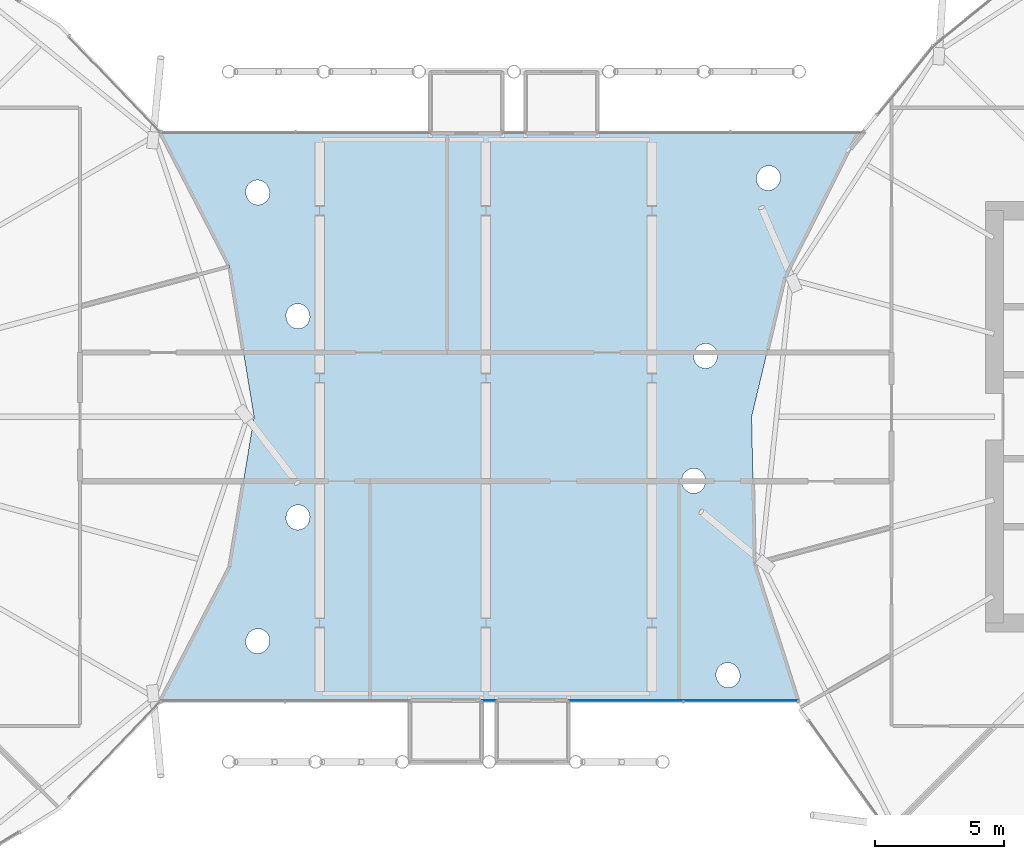
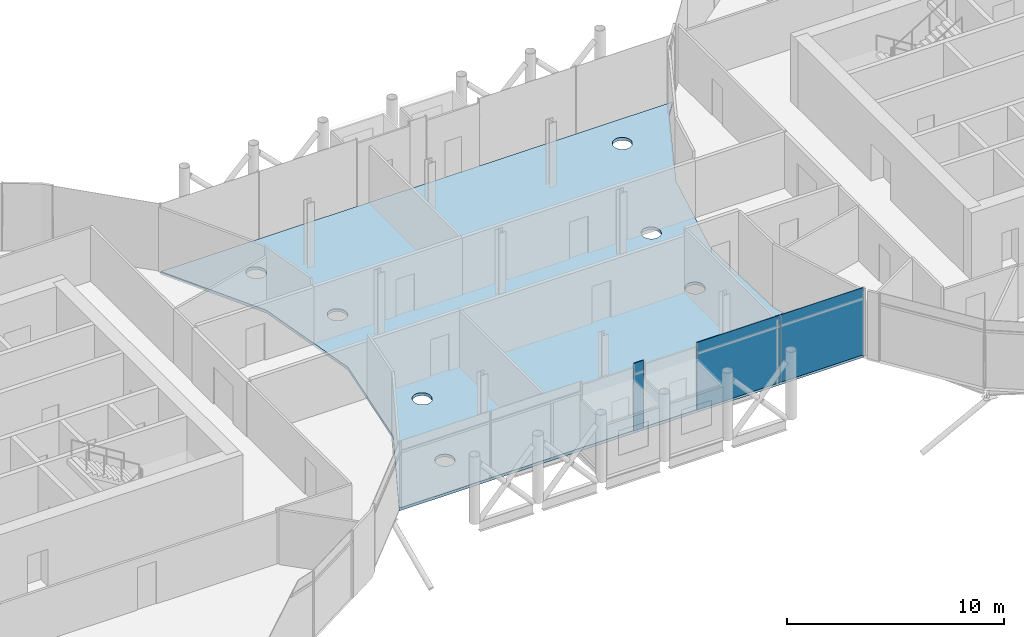
# One storey, part 20 of 39: 3 plates, 1 slab, 1 element without a shape of its own.
"""IFC4 building model written with IfcOpenShell, lengths in metres."""

import ifcopenshell
import ifcopenshell.guid

model = None  # the IFC model being written
_history = None  # IfcOwnerHistory: only IFC2X3 demands one
_inside = {}  # id of a spatial element -> (the spatial element, [elements in it])
_under = {}  # id of a project, library or spatial element -> (it, [spatial elements below it])
_declared = {}  # id of a project -> (the project, [libraries it declares])
_typed = {}  # id of a type object -> (the type object, [elements of that type])
_made_of = {}  # id of a material, layer set ... -> (it, [elements and type objects made of it])


def new_model(schema):
    """Start an empty IFC model of exactly this schema.

    Asked for "IFC4X3", IfcOpenShell would pick the latest addendum, in which some entities
    have other attributes; the version numbers below select the first issue.
    IFC2X3 requires an IfcOwnerHistory on every rooted entity: one is made here for all.
    """
    global model, _history
    if schema == "IFC4X3":
        model = ifcopenshell.file(schema_version=(4, 3, 0, 0))
    else:
        model = ifcopenshell.file(schema=schema)
    _inside.clear()
    _under.clear()
    _declared.clear()
    _typed.clear()
    _made_of.clear()
    _history = None
    if model.schema == "IFC2X3":
        org = make("IfcOrganization", Name="unknown")
        user = make(
            "IfcPersonAndOrganization",
            ThePerson=make("IfcPerson", FamilyName="unknown"),
            TheOrganization=org,
        )
        app = make(
            "IfcApplication",
            ApplicationDeveloper=org,
            Version="unknown",
            ApplicationFullName="unknown",
            ApplicationIdentifier="unknown",
        )
        _history = make(
            "IfcOwnerHistory",
            OwningUser=user,
            OwningApplication=app,
            ChangeAction="ADDED",
            CreationDate=0,
        )
    return model


def make(cls, **values):
    """One entity of the class cls with the attributes given. An attribute that is None is left unset."""
    return model.create_entity(
        cls, **{name: value for name, value in values.items() if value is not None}
    )


def rooted(cls, **values):
    """An entity with a GlobalId (a new one), such as an element, a storey or a relation."""
    return make(cls, GlobalId=ifcopenshell.guid.new(), OwnerHistory=_history, **values)


def si_unit(unit_type, name, prefix=None):
    """IfcSIUnit, for example si_unit("LENGTHUNIT", "METRE", prefix="MILLI")."""
    return make("IfcSIUnit", UnitType=unit_type, Prefix=prefix, Name=name)


def assignment(units):
    """IfcUnitAssignment: the units of a project."""
    return None if units is None else make("IfcUnitAssignment", Units=units)


def point(xyz):
    """IfcCartesianPoint."""
    return None if xyz is None else make("IfcCartesianPoint", Coordinates=xyz)


def direction(xyz):
    """IfcDirection."""
    return None if xyz is None else make("IfcDirection", DirectionRatios=xyz)


def frame(location, z_axis=None, x_axis=None):
    """IfcAxis2Placement3D, a coordinate frame: its origin and axes. An axis left out is left unset."""
    return make(
        "IfcAxis2Placement3D",
        Location=point(location),
        Axis=direction(z_axis),
        RefDirection=direction(x_axis),
    )


def frame_2d(location, x_axis=None):
    """IfcAxis2Placement2D, a coordinate frame in the plane: its origin and x axis."""
    return make(
        "IfcAxis2Placement2D", Location=point(location), RefDirection=direction(x_axis)
    )


def origin():
    """The frame at (0, 0, 0) with its axes left unset."""
    return frame((0.0, 0.0, 0.0))


def origin_2d():
    """The frame at (0, 0) in the plane with its x axis left unset."""
    return frame_2d((0.0, 0.0))


def place(relative_to, where):
    """IfcLocalPlacement: puts the frame where relative to a parent placement (None: the world)."""
    return make(
        "IfcLocalPlacement", PlacementRelTo=relative_to, RelativePlacement=where
    )


def context(
    kind, dimensions, precision=None, world=None, true_north=None, identifier=None
):
    """IfcGeometricRepresentationContext, for example the 3D "Model" context."""
    return make(
        "IfcGeometricRepresentationContext",
        ContextIdentifier=identifier,
        ContextType=kind,
        CoordinateSpaceDimension=dimensions,
        Precision=precision,
        WorldCoordinateSystem=world,
        TrueNorth=true_north,
    )


def subcontext(parent, identifier, kind, view, scale=None):
    """IfcGeometricRepresentationSubContext, for example "Body" below "Model"."""
    return make(
        "IfcGeometricRepresentationSubContext",
        ContextIdentifier=identifier,
        ContextType=kind,
        ParentContext=parent,
        TargetScale=scale,
        TargetView=view,
    )


def project(units=None, contexts=None):
    """IfcProject with its units and contexts."""
    return rooted(
        "IfcProject",
        Name="project",
        RepresentationContexts=contexts,
        UnitsInContext=assignment(units),
    )


def spatial(cls, under=None, at=None, **own):
    """A site, building, storey or space (cls), placed at a placement, below another one or the project."""
    s = rooted(cls, ObjectPlacement=at, **own)
    if under is not None:
        _under.setdefault(under.id(), (under, []))[1].append(s)
    return s


def polyline(points):
    """IfcPolyline through the points."""
    return make("IfcPolyline", Points=[point(p) for p in points])


def profile(cls, at=None, kind="AREA", **sizes):
    """A parametric profile (cls). Its sizes go by their IFC names, for example OverallWidth=200.0."""
    return make(cls, ProfileType=kind, Position=at, **sizes)


def rectangle(**sizes):
    """IfcRectangleProfileDef."""
    return profile("IfcRectangleProfileDef", **sizes)


def outline(outer, holes=None, kind="AREA"):
    """IfcArbitraryClosedProfileDef: a profile drawn as a closed curve; with holes, ...WithVoids."""
    if holes is None:
        return make("IfcArbitraryClosedProfileDef", ProfileType=kind, OuterCurve=outer)
    return make(
        "IfcArbitraryProfileDefWithVoids",
        ProfileType=kind,
        OuterCurve=outer,
        InnerCurves=holes,
    )


def extrude(swept, where, along, depth):
    """IfcExtrudedAreaSolid: the profile swept, set in the frame where, extruded along a direction by depth."""
    return make(
        "IfcExtrudedAreaSolid",
        SweptArea=swept,
        Position=where,
        ExtrudedDirection=direction(along),
        Depth=depth,
    )


def shape(context_of_items, identifier, shape_type, items):
    """IfcShapeRepresentation: the items that make up one representation, for example the "Body"."""
    return make(
        "IfcShapeRepresentation",
        ContextOfItems=context_of_items,
        RepresentationIdentifier=identifier,
        RepresentationType=shape_type,
        Items=items,
    )


def material(Name=None, Category=None):
    """IfcMaterial."""
    return make("IfcMaterial", Name=Name, Category=Category)


def layer(
    of_material, thickness, ventilated=None, Name=None, Category=None, Priority=None
):
    """IfcMaterialLayer: one layer of a wall or slab, of a material (None: an air gap)."""
    return make(
        "IfcMaterialLayer",
        Material=of_material,
        LayerThickness=thickness,
        IsVentilated=ventilated,
        Name=Name,
        Category=Category,
        Priority=Priority,
    )


def layer_set(layers, Name=None):
    """IfcMaterialLayerSet."""
    return make("IfcMaterialLayerSet", MaterialLayers=layers, LayerSetName=Name)


def made_of(thing, what):
    """Note that an element or type object is made of a material, layer set ...; save() writes the relation."""
    if what is not None:
        _made_of.setdefault(what.id(), (what, []))[1].append(thing)
    return thing


def type_object(cls, material=None, **own):
    """A type object (cls), such as IfcWallType, which elements share."""
    return made_of(rooted(cls, **own), material)


def element(
    cls,
    number,
    at=None,
    inside=None,
    cuts=None,
    type_object=None,
    material=None,
    context=None,
    identifier="Body",
    shape_type=None,
    held_by="IfcProductDefinitionShape",
    body=None,
    shapes=None,
    **own,
):
    """One element of the class cls, such as IfcWall. Its Tag is "e" and its number.

    at: its placement. inside: the storey or other place that contains it. cuts: it is an
    opening in that element (IfcRelVoidsElement). A single representation is given by context,
    identifier, shape_type and body (its items); several are given by shapes. held_by: the class
    of the entity that holds the representations. save() writes the other relations.
    """
    e = rooted(cls, Tag="e%d" % number, ObjectPlacement=at, **own)
    if body is not None:
        shapes = [shape(context, identifier, shape_type, body)]
    if shapes is not None:
        e.Representation = make(held_by, Representations=shapes)
    if inside is not None:
        _inside.setdefault(inside.id(), (inside, []))[1].append(e)
    if cuts is not None:
        rooted(
            "IfcRelVoidsElement", RelatingBuildingElement=cuts, RelatedOpeningElement=e
        )
    if type_object is not None:
        _typed.setdefault(type_object.id(), (type_object, []))[1].append(e)
    return made_of(e, material)


def aggregate(whole, parts):
    """IfcRelAggregates: a whole, such as a stair, and the parts it consists of."""
    return rooted("IfcRelAggregates", RelatingObject=whole, RelatedObjects=parts)


def save(model, path):
    """Write the relations noted so far, then the file.

    IfcRelAggregates (storeys below a building ...), IfcRelContainedInSpatialStructure (elements
    in a storey), IfcRelDefinesByType, IfcRelAssociatesMaterial and IfcRelDeclares: one each for
    every whole, place, type object, material and project.
    """
    for whole, parts in _under.values():
        aggregate(whole, parts)
    for where, things in _inside.values():
        rooted(
            "IfcRelContainedInSpatialStructure",
            RelatedElements=things,
            RelatingStructure=where,
        )
    for kind, things in _typed.values():
        rooted("IfcRelDefinesByType", RelatedObjects=things, RelatingType=kind)
    for what, things in _made_of.values():
        rooted("IfcRelAssociatesMaterial", RelatedObjects=things, RelatingMaterial=what)
    for by, libraries in _declared.values():
        rooted("IfcRelDeclares", RelatingContext=by, RelatedDefinitions=libraries)
    model.write(path)


model = new_model("IFC4")

# Units and contexts
model_context = context("Model", 3, precision=1e-05, world=origin(), true_north=direction((0.0, 1.0)))
body_context = subcontext(model_context, "Body", "Model", "MODEL_VIEW")
ifc_project = project(units=[si_unit("LENGTHUNIT", "METRE"), si_unit("AREAUNIT", "SQUARE_METRE"), si_unit("VOLUMEUNIT", "CUBIC_METRE"), si_unit("PLANEANGLEUNIT", "RADIAN"), si_unit("MASSUNIT", "GRAM", prefix="KILO")], contexts=[model_context])

# Site, building, storey
site_placement = place(None, origin())
site = spatial("IfcSite", under=ifc_project, at=site_placement, CompositionType="ELEMENT")
building_placement = place(site_placement, origin())
building = spatial("IfcBuilding", under=site, at=building_placement, Name="Rimbun Link Towers", CompositionType="ELEMENT")
storey_placement = place(building_placement, frame((0.0, 0.0, 139.199951171875)))
storey = spatial("IfcBuildingStorey", under=building, at=storey_placement, Name="L33", CompositionType="ELEMENT", Elevation=139.199951171875)

# Curtain wall, plates
ifc_material_1 = material(Name="Aluminium 6063-T6 and low-iron glass", Category="aluminium")
curtain_wall_type = type_object("IfcCurtainWallType", Name="CW4 link block wall", PredefinedType="NOTDEFINED", material=ifc_material_1)
curtain_wall_placement = place(storey_placement, origin())
curtain_wall = element("IfcCurtainWall", 1, at=curtain_wall_placement, inside=storey, type_object=curtain_wall_type, Name="CW4 L33 LB", PredefinedType="NOTDEFINED")
ifc_material_2 = material(Name="Aluminium cladding, insulated panel", Category="aluminium")
ifc_layer_1 = layer(ifc_material_2, 0.028076171875)
ifc_layer_set_1 = layer_set([ifc_layer_1], Name="CW4 insulated panel Aluminium cladding 28")
plate_type_1 = type_object("IfcPlateType", Name="CW4 insulated panel Aluminium cladding 28", PredefinedType="CURTAIN_PANEL", material=ifc_layer_set_1)
plate_1_placement = place(storey_placement, frame((9.894287109375, -11.013916015625, 0.0), z_axis=(0.0, 0.0, 1.0), x_axis=(-1.0, 0.0, 0.0)))
plate_1 = element("IfcPlate", 2, at=plate_1_placement, type_object=plate_type_1, Name="CW4 insulated panel", PredefinedType="CURTAIN_PANEL", context=body_context, shape_type="SweptSolid", body=[
    extrude(rectangle(XDim=4.4140625, YDim=0.028076171875, at=origin_2d()), origin(), (0.0, 0.0, 1.0), 3.800048828125),
])
ifc_material_3 = material(Name="Low-iron glass, laminated low-e unit", Category="glass")
ifc_layer_2 = layer(ifc_material_3, 0.028076171875)
ifc_layer_set_2 = layer_set([ifc_layer_2], Name="CW4 panel Low-iron glass 28")
plate_type_2 = type_object("IfcPlateType", Name="CW4 panel Low-iron glass 28", PredefinedType="CURTAIN_PANEL", material=ifc_layer_set_2)
plate_2_placement = place(storey_placement, frame((5.4404296875, -11.013916015625, 0.0), z_axis=(0.0, 0.0, 1.0), x_axis=(-1.0, 0.0, 0.0)))
plate_2 = element("IfcPlate", 3, at=plate_2_placement, type_object=plate_type_2, Name="CW4 panel", PredefinedType="CURTAIN_PANEL", context=body_context, shape_type="SweptSolid", body=[
    extrude(rectangle(XDim=4.4140625, YDim=0.028076171875, at=origin_2d()), origin(), (0.0, 0.0, 1.0), 3.800048828125),
])
plate_3_placement = place(storey_placement, frame((0.12890625, -11.013916015625, 0.0), z_axis=(0.0, 0.0, 1.0), x_axis=(-1.0, 0.0, 0.0)))
plate_3 = element("IfcPlate", 4, at=plate_3_placement, type_object=plate_type_2, Name="CW4 panel", PredefinedType="CURTAIN_PANEL", context=body_context, shape_type="SweptSolid", body=[
    extrude(rectangle(XDim=0.529052734375, YDim=0.028076171875, at=origin_2d()), origin(), (0.0, 0.0, 1.0), 3.800048828125),
])
aggregate(curtain_wall, [plate_1, plate_2, plate_3])

# Slab
ifc_material_4 = material(Name="Concrete C40/50", Category="concrete")
ifc_layer_3 = layer(ifc_material_4, 0.159912109375)
ifc_layer_set_3 = layer_set([ifc_layer_3], Name="Link composite floor slab")
slab_type = type_object("IfcSlabType", Name="Link composite floor slab", PredefinedType="FLOOR", material=ifc_layer_set_3)
slab_placement = place(storey_placement, frame((0.0, 0.0, -0.159912109375)))
element("IfcSlab", 5, at=slab_placement, inside=storey, type_object=slab_type, Name="Link floor slab L33", PredefinedType="FLOOR", context=body_context, shape_type="SweptSolid", body=[
    extrude(outline(polyline([(-9.956787109375, -5.839599609375), (-8.99658203125, 0.0), (-9.956787109375, 5.839599609375), (-12.626953125, 11.0), (14.66064453125, 11.0), (14.035400390625, 10.2275390625), (11.609375, 5.396728515625), (10.31884765625, 0.0), (10.439208984375, -5.710205078125), (12.121337890625, -11.0), (-12.626953125, -11.0), (-9.956787109375, -5.839599609375)]), holes=[polyline([(-9.1162109375, -8.3203125), (-9.150634765625, -8.348876953125), (-9.18212890625, -8.380615234375), (-9.210205078125, -8.415283203125), (-9.235107421875, -8.452392578125), (-9.255859375, -8.491943359375), (-9.2783203125, -8.53955078125), (-9.295166015625, -8.5810546875), (-9.30810546875, -8.623779296875), (-9.316650390625, -8.667724609375), (-9.32080078125, -8.712158203125), (-9.320556640625, -8.757080078125), (-9.316162109375, -8.801513671875), (-9.30712890625, -8.84521484375), (-9.2939453125, -8.887939453125), (-9.27685546875, -8.92919921875), (-9.255615234375, -8.968505859375), (-9.23046875, -9.005615234375), (-9.201904296875, -9.0400390625), (-9.17041015625, -9.071533203125), (-9.135498046875, -9.099853515625), (-9.098388671875, -9.12451171875), (-9.058837890625, -9.1455078125), (-9.017578125, -9.162353515625), (-8.974609375, -9.17529296875), (-8.930908203125, -9.183837890625), (-8.88623046875, -9.18798828125), (-8.841552734375, -9.187744140625), (-8.797119140625, -9.183349609375), (-8.75341796875, -9.17431640625), (-8.71044921875, -9.1611328125), (-8.669189453125, -9.14404296875), (-8.6298828125, -9.122802734375), (-8.5927734375, -9.097900390625), (-8.558349609375, -9.0693359375), (-8.52685546875, -9.03759765625), (-8.498779296875, -9.0029296875), (-8.47412109375, -8.965576171875), (-8.452880859375, -8.926025390625), (-8.4306640625, -8.87841796875), (-8.413818359375, -8.8369140625), (-8.40087890625, -8.794189453125), (-8.392333984375, -8.750244140625), (-8.38818359375, -8.705810546875), (-8.388427734375, -8.6611328125), (-8.392822265625, -8.61669921875), (-8.40185546875, -8.57275390625), (-8.4150390625, -8.530029296875), (-8.43212890625, -8.48876953125), (-8.453369140625, -8.449462890625), (-8.478515625, -8.412353515625), (-8.5068359375, -8.3779296875), (-8.538818359375, -8.346435546875), (-8.5732421875, -8.318115234375), (-8.610595703125, -8.29345703125), (-8.650146484375, -8.272705078125), (-8.69140625, -8.255615234375), (-8.734375, -8.242919921875), (-8.7783203125, -8.234375), (-8.82275390625, -8.22998046875), (-8.867431640625, -8.230224609375), (-8.911865234375, -8.23486328125), (-8.955810546875, -8.24365234375), (-8.99853515625, -8.2568359375), (-9.039794921875, -8.274169921875), (-9.0791015625, -8.29541015625), (-9.1162109375, -8.3203125)]), polyline([(-6.94580078125, -4.21923828125), (-6.91943359375, -4.18310546875), (-6.896484375, -4.144775390625), (-6.877685546875, -4.104248046875), (-6.86279296875, -4.06201171875), (-6.85205078125, -4.018798828125), (-6.841796875, -3.96630859375), (-6.83544921875, -3.922119140625), (-6.83349609375, -3.877197265625), (-6.8359375, -3.832763671875), (-6.842529296875, -3.78857421875), (-6.853759765625, -3.7451171875), (-6.868896484375, -3.703125), (-6.88818359375, -3.662841796875), (-6.911376953125, -3.62451171875), (-6.938232421875, -3.588623046875), (-6.96826171875, -3.5556640625), (-7.001708984375, -3.52587890625), (-7.03759765625, -3.49951171875), (-7.076171875, -3.4765625), (-7.11669921875, -3.45751953125), (-7.15869140625, -3.442626953125), (-7.2021484375, -3.43212890625), (-7.246337890625, -3.42578125), (-7.291015625, -3.423583984375), (-7.335693359375, -3.426025390625), (-7.3798828125, -3.432861328125), (-7.423095703125, -3.44384765625), (-7.46533203125, -3.458984375), (-7.505615234375, -3.478515625), (-7.5439453125, -3.501708984375), (-7.57958984375, -3.5283203125), (-7.612548828125, -3.55859375), (-7.642578125, -3.591796875), (-7.6689453125, -3.627685546875), (-7.69189453125, -3.666259765625), (-7.710693359375, -3.706787109375), (-7.7255859375, -3.748779296875), (-7.736328125, -3.792236328125), (-7.74658203125, -3.8447265625), (-7.7529296875, -3.888916015625), (-7.7548828125, -3.93359375), (-7.75244140625, -3.978271484375), (-7.74560546875, -4.0224609375), (-7.734619140625, -4.06591796875), (-7.719482421875, -4.10791015625), (-7.7001953125, -4.148193359375), (-7.677001953125, -4.1865234375), (-7.650146484375, -4.222412109375), (-7.6201171875, -4.25537109375), (-7.5869140625, -4.28515625), (-7.55078125, -4.3115234375), (-7.51220703125, -4.33447265625), (-7.4716796875, -4.353515625), (-7.4296875, -4.368408203125), (-7.38623046875, -4.37890625), (-7.342041015625, -4.38525390625), (-7.29736328125, -4.38720703125), (-7.252685546875, -4.385009765625), (-7.20849609375, -4.378173828125), (-7.1650390625, -4.3671875), (-7.123046875, -4.351806640625), (-7.082763671875, -4.33251953125), (-7.04443359375, -4.309326171875), (-7.0087890625, -4.28271484375), (-6.9755859375, -4.25244140625), (-6.94580078125, -4.21923828125)]), polyline([(-7.74560546875, 4.0224609375), (-7.75244140625, 3.978271484375), (-7.7548828125, 3.93359375), (-7.7529296875, 3.888916015625), (-7.74658203125, 3.8447265625), (-7.736328125, 3.792236328125), (-7.7255859375, 3.748779296875), (-7.710693359375, 3.706787109375), (-7.69189453125, 3.666259765625), (-7.6689453125, 3.627685546875), (-7.642578125, 3.591796875), (-7.612548828125, 3.55859375), (-7.57958984375, 3.5283203125), (-7.5439453125, 3.501708984375), (-7.505615234375, 3.478515625), (-7.46533203125, 3.458984375), (-7.423095703125, 3.44384765625), (-7.3798828125, 3.432861328125), (-7.335693359375, 3.426025390625), (-7.291015625, 3.423583984375), (-7.246337890625, 3.42578125), (-7.2021484375, 3.43212890625), (-7.15869140625, 3.442626953125), (-7.11669921875, 3.45751953125), (-7.076171875, 3.4765625), (-7.03759765625, 3.49951171875), (-7.001708984375, 3.52587890625), (-6.96826171875, 3.5556640625), (-6.938232421875, 3.588623046875), (-6.911376953125, 3.62451171875), (-6.88818359375, 3.662841796875), (-6.868896484375, 3.703125), (-6.853759765625, 3.7451171875), (-6.842529296875, 3.78857421875), (-6.8359375, 3.832763671875), (-6.83349609375, 3.877197265625), (-6.83544921875, 3.922119140625), (-6.841796875, 3.96630859375), (-6.85205078125, 4.018798828125), (-6.86279296875, 4.06201171875), (-6.877685546875, 4.104248046875), (-6.896484375, 4.144775390625), (-6.91943359375, 4.18310546875), (-6.94580078125, 4.21923828125), (-6.9755859375, 4.25244140625), (-7.0087890625, 4.28271484375), (-7.04443359375, 4.309326171875), (-7.082763671875, 4.33251953125), (-7.123046875, 4.351806640625), (-7.1650390625, 4.3671875), (-7.20849609375, 4.378173828125), (-7.252685546875, 4.385009765625), (-7.29736328125, 4.38720703125), (-7.342041015625, 4.38525390625), (-7.38623046875, 4.37890625), (-7.4296875, 4.368408203125), (-7.4716796875, 4.353515625), (-7.51220703125, 4.33447265625), (-7.55078125, 4.3115234375), (-7.5869140625, 4.28515625), (-7.6201171875, 4.25537109375), (-7.650146484375, 4.222412109375), (-7.677001953125, 4.1865234375), (-7.7001953125, 4.148193359375), (-7.719482421875, 4.10791015625), (-7.734619140625, 4.06591796875), (-7.74560546875, 4.0224609375)]), polyline([(-8.38818359375, 8.705810546875), (-8.392333984375, 8.750244140625), (-8.40087890625, 8.794189453125), (-8.413818359375, 8.8369140625), (-8.4306640625, 8.87841796875), (-8.452880859375, 8.926025390625), (-8.47412109375, 8.965576171875), (-8.498779296875, 9.0029296875), (-8.52685546875, 9.03759765625), (-8.558349609375, 9.0693359375), (-8.5927734375, 9.097900390625), (-8.6298828125, 9.122802734375), (-8.669189453125, 9.14404296875), (-8.71044921875, 9.1611328125), (-8.75341796875, 9.17431640625), (-8.797119140625, 9.183349609375), (-8.841552734375, 9.187744140625), (-8.88623046875, 9.18798828125), (-8.930908203125, 9.183837890625), (-8.974609375, 9.17529296875), (-9.017578125, 9.162353515625), (-9.058837890625, 9.1455078125), (-9.098388671875, 9.12451171875), (-9.135498046875, 9.099853515625), (-9.17041015625, 9.071533203125), (-9.201904296875, 9.0400390625), (-9.23046875, 9.005615234375), (-9.255615234375, 8.968505859375), (-9.27685546875, 8.92919921875), (-9.2939453125, 8.887939453125), (-9.30712890625, 8.84521484375), (-9.316162109375, 8.801513671875), (-9.320556640625, 8.757080078125), (-9.32080078125, 8.712158203125), (-9.316650390625, 8.667724609375), (-9.30810546875, 8.623779296875), (-9.295166015625, 8.5810546875), (-9.2783203125, 8.53955078125), (-9.255859375, 8.491943359375), (-9.235107421875, 8.452392578125), (-9.210205078125, 8.415283203125), (-9.18212890625, 8.380615234375), (-9.150634765625, 8.348876953125), (-9.1162109375, 8.3203125), (-9.0791015625, 8.29541015625), (-9.039794921875, 8.274169921875), (-8.99853515625, 8.2568359375), (-8.955810546875, 8.24365234375), (-8.911865234375, 8.23486328125), (-8.867431640625, 8.230224609375), (-8.82275390625, 8.22998046875), (-8.7783203125, 8.234375), (-8.734375, 8.242919921875), (-8.69140625, 8.255615234375), (-8.650146484375, 8.272705078125), (-8.610595703125, 8.29345703125), (-8.5732421875, 8.318115234375), (-8.538818359375, 8.346435546875), (-8.5068359375, 8.3779296875), (-8.478515625, 8.412353515625), (-8.453369140625, 8.449462890625), (-8.43212890625, 8.48876953125), (-8.4150390625, 8.530029296875), (-8.40185546875, 8.57275390625), (-8.392822265625, 8.61669921875), (-8.388427734375, 8.6611328125), (-8.38818359375, 8.705810546875)]), polyline([(9.862060546875, -10.12109375), (9.8662109375, -10.07666015625), (9.8662109375, -10.031982421875), (9.861572265625, -9.987548828125), (9.852783203125, -9.943603515625), (9.839599609375, -9.90087890625), (9.82177734375, -9.8515625), (9.804443359375, -9.810302734375), (9.783203125, -9.77099609375), (9.75830078125, -9.73388671875), (9.729736328125, -9.699462890625), (9.697998046875, -9.66796875), (9.663330078125, -9.6396484375), (9.6259765625, -9.614990234375), (9.58642578125, -9.593994140625), (9.545166015625, -9.5771484375), (9.502197265625, -9.564208984375), (9.45849609375, -9.5556640625), (9.413818359375, -9.551513671875), (9.369140625, -9.5517578125), (9.32470703125, -9.55615234375), (9.281005859375, -9.565185546875), (9.238037109375, -9.578125), (9.197021484375, -9.595458984375), (9.15771484375, -9.61669921875), (9.12060546875, -9.6416015625), (9.0859375, -9.670166015625), (9.054443359375, -9.701904296875), (9.0263671875, -9.736572265625), (9.001708984375, -9.77392578125), (8.980712890625, -9.8134765625), (8.963623046875, -9.854736328125), (8.950927734375, -9.897705078125), (8.9423828125, -9.94140625), (8.93798828125, -9.986083984375), (8.938232421875, -10.03076171875), (8.94287109375, -10.0751953125), (8.951904296875, -10.118896484375), (8.96484375, -10.16162109375), (8.98291015625, -10.211181640625), (9.0, -10.25244140625), (9.021240234375, -10.291748046875), (9.04638671875, -10.328857421875), (9.07470703125, -10.36328125), (9.1064453125, -10.394775390625), (9.14111328125, -10.423095703125), (9.178466796875, -10.44775390625), (9.218017578125, -10.46875), (9.259521484375, -10.485595703125), (9.30224609375, -10.49853515625), (9.34619140625, -10.507080078125), (9.390625, -10.51123046875), (9.435302734375, -10.510986328125), (9.479736328125, -10.506591796875), (9.523681640625, -10.49755859375), (9.56640625, -10.484619140625), (9.607666015625, -10.46728515625), (9.64697265625, -10.446044921875), (9.68408203125, -10.4208984375), (9.718505859375, -10.392578125), (9.75, -10.36083984375), (9.7783203125, -10.326171875), (9.802978515625, -10.288818359375), (9.82373046875, -10.249267578125), (9.8408203125, -10.2080078125), (9.853515625, -10.1650390625), (9.862060546875, -10.12109375)]), polyline([(7.66650390625, -2.24560546875), (7.6474609375, -2.2861328125), (7.63232421875, -2.328125), (7.62158203125, -2.37158203125), (7.614990234375, -2.415771484375), (7.61279296875, -2.46044921875), (7.61279296875, -2.51220703125), (7.614990234375, -2.556884765625), (7.621337890625, -2.601318359375), (7.63232421875, -2.64453125), (7.647216796875, -2.6865234375), (7.66650390625, -2.72705078125), (7.689453125, -2.765380859375), (7.716064453125, -2.80126953125), (7.74609375, -2.83447265625), (7.779296875, -2.864501953125), (7.815185546875, -2.89111328125), (7.853515625, -2.9140625), (7.893798828125, -2.933349609375), (7.935791015625, -2.9482421875), (7.979248046875, -2.959228515625), (8.0234375, -2.9658203125), (8.068115234375, -2.968017578125), (8.11279296875, -2.9658203125), (8.156982421875, -2.959228515625), (8.200439453125, -2.948486328125), (8.242431640625, -2.933349609375), (8.282958984375, -2.914306640625), (8.3212890625, -2.89111328125), (8.357177734375, -2.864501953125), (8.390380859375, -2.834716796875), (8.42041015625, -2.801513671875), (8.447021484375, -2.765625), (8.469970703125, -2.727294921875), (8.4892578125, -2.686767578125), (8.504150390625, -2.644775390625), (8.51513671875, -2.601318359375), (8.521728515625, -2.55712890625), (8.52392578125, -2.512451171875), (8.52392578125, -2.460693359375), (8.521728515625, -2.416015625), (8.51513671875, -2.371826171875), (8.50439453125, -2.328369140625), (8.4892578125, -2.286376953125), (8.47021484375, -2.245849609375), (8.447265625, -2.20751953125), (8.42041015625, -2.171630859375), (8.390380859375, -2.138427734375), (8.357421875, -2.1083984375), (8.321533203125, -2.081787109375), (8.283203125, -2.058837890625), (8.24267578125, -2.039794921875), (8.20068359375, -2.024658203125), (8.1572265625, -2.013671875), (8.113037109375, -2.007080078125), (8.068359375, -2.0048828125), (8.023681640625, -2.007080078125), (7.9794921875, -2.013671875), (7.93603515625, -2.024658203125), (7.89404296875, -2.03955078125), (7.853515625, -2.05859375), (7.815185546875, -2.081787109375), (7.779296875, -2.1083984375), (7.74609375, -2.138427734375), (7.71630859375, -2.17138671875), (7.689453125, -2.20751953125), (7.66650390625, -2.24560546875)]), polyline([(8.906005859375, 2.0859375), (8.9287109375, 2.124267578125), (8.94775390625, 2.164794921875), (8.962646484375, 2.206787109375), (8.973388671875, 2.25048828125), (8.983154296875, 2.299560546875), (8.989501953125, 2.34375), (8.991455078125, 2.388427734375), (8.9892578125, 2.43310546875), (8.982421875, 2.477294921875), (8.971435546875, 2.520751953125), (8.956298828125, 2.562744140625), (8.93701171875, 2.60302734375), (8.9140625, 2.641357421875), (8.88720703125, 2.67724609375), (8.857177734375, 2.710205078125), (8.823974609375, 2.739990234375), (8.787841796875, 2.7666015625), (8.74951171875, 2.78955078125), (8.708984375, 2.80859375), (8.666748046875, 2.823486328125), (8.623291015625, 2.834228515625), (8.5791015625, 2.840576171875), (8.534423828125, 2.8427734375), (8.489990234375, 2.84033203125), (8.44580078125, 2.83349609375), (8.40234375, 2.822509765625), (8.3603515625, 2.807373046875), (8.31982421875, 2.7880859375), (8.28173828125, 2.76513671875), (8.245849609375, 2.73828125), (8.212890625, 2.708251953125), (8.182861328125, 2.675048828125), (8.15625, 2.638916015625), (8.133544921875, 2.6005859375), (8.114501953125, 2.56005859375), (8.099609375, 2.51806640625), (8.0888671875, 2.474609375), (8.0791015625, 2.42529296875), (8.07275390625, 2.381103515625), (8.07080078125, 2.33642578125), (8.072998046875, 2.291748046875), (8.07958984375, 2.24755859375), (8.0908203125, 2.204345703125), (8.10595703125, 2.162109375), (8.125244140625, 2.121826171875), (8.148193359375, 2.08349609375), (8.175048828125, 2.047607421875), (8.205078125, 2.0146484375), (8.23828125, 1.98486328125), (8.2744140625, 1.958251953125), (8.312744140625, 1.935302734375), (8.353271484375, 1.91650390625), (8.3955078125, 1.901611328125), (8.438720703125, 1.890625), (8.483154296875, 1.88427734375), (8.527587890625, 1.88232421875), (8.572509765625, 1.884521484375), (8.61669921875, 1.891357421875), (8.659912109375, 1.90234375), (8.701904296875, 1.91748046875), (8.7421875, 1.936767578125), (8.780517578125, 1.959716796875), (8.81640625, 1.986572265625), (8.849609375, 2.0166015625), (8.87939453125, 2.0498046875), (8.906005859375, 2.0859375)]), polyline([(10.697021484375, 9.64013671875), (10.663818359375, 9.610107421875), (10.6337890625, 9.576904296875), (10.607421875, 9.541015625), (10.584228515625, 9.502685546875), (10.561279296875, 9.459228515625), (10.5419921875, 9.418701171875), (10.527099609375, 9.376708984375), (10.516357421875, 9.333251953125), (10.509765625, 9.2890625), (10.507568359375, 9.244384765625), (10.509765625, 9.19970703125), (10.5166015625, 9.155517578125), (10.52734375, 9.1123046875), (10.54248046875, 9.070068359375), (10.5615234375, 9.02978515625), (10.584716796875, 8.991455078125), (10.611328125, 8.95556640625), (10.641357421875, 8.92236328125), (10.674560546875, 8.892333984375), (10.71044921875, 8.86572265625), (10.748779296875, 8.843017578125), (10.789306640625, 8.82373046875), (10.831298828125, 8.808837890625), (10.874755859375, 8.798095703125), (10.9189453125, 8.79150390625), (10.963623046875, 8.789306640625), (11.00830078125, 8.79150390625), (11.052490234375, 8.798095703125), (11.095947265625, 8.80908203125), (11.137939453125, 8.82421875), (11.178466796875, 8.84326171875), (11.216796875, 8.866455078125), (11.252685546875, 8.89306640625), (11.28564453125, 8.923095703125), (11.315673828125, 8.956298828125), (11.34228515625, 8.9921875), (11.365234375, 9.030517578125), (11.388427734375, 9.073974609375), (11.407470703125, 9.114501953125), (11.422607421875, 9.156494140625), (11.433349609375, 9.199951171875), (11.439697265625, 9.244140625), (11.44189453125, 9.288818359375), (11.439697265625, 9.33349609375), (11.43310546875, 9.377685546875), (11.422119140625, 9.421142578125), (11.406982421875, 9.463134765625), (11.387939453125, 9.503662109375), (11.364990234375, 9.5419921875), (11.33837890625, 9.577880859375), (11.30810546875, 9.61083984375), (11.27490234375, 9.640869140625), (11.239013671875, 9.66748046875), (11.20068359375, 9.6904296875), (11.160400390625, 9.70947265625), (11.1181640625, 9.724609375), (11.07470703125, 9.7353515625), (11.030517578125, 9.74169921875), (10.98583984375, 9.743896484375), (10.941162109375, 9.74169921875), (10.89697265625, 9.735107421875), (10.853759765625, 9.72412109375), (10.8115234375, 9.708984375), (10.771240234375, 9.68994140625), (10.73291015625, 9.6669921875), (10.697021484375, 9.64013671875)])]), origin(), (0.0, 0.0, 1.0), 0.159912109375),
])

save(model, "model.ifc")
